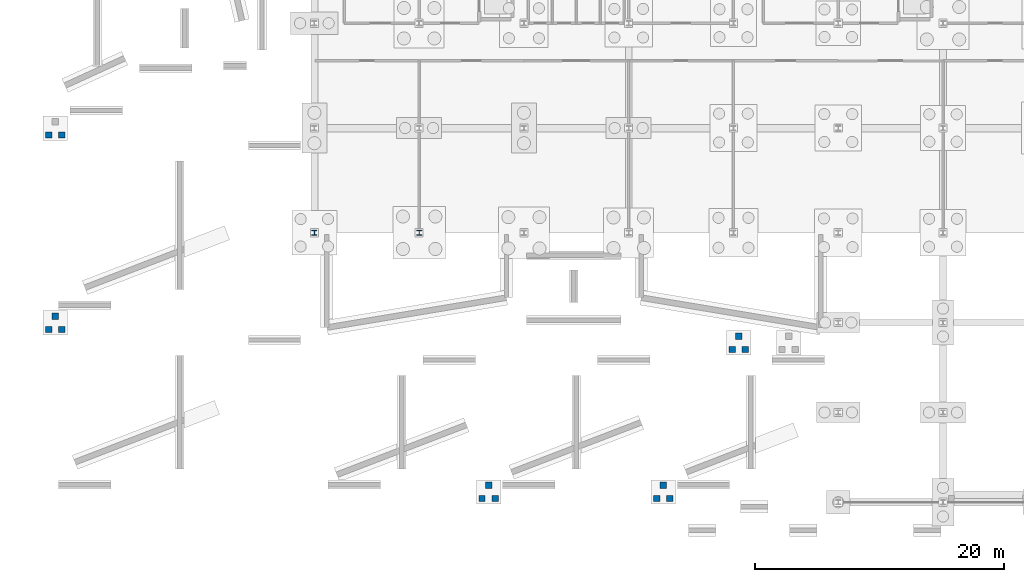
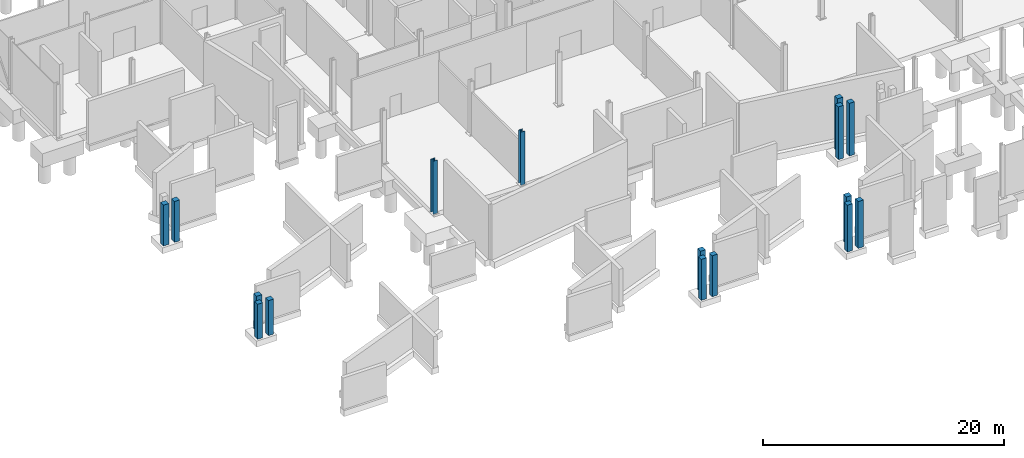
# One storey, part 14 of 61: 16 columns.
"""IFC4 building model written with IfcOpenShell, lengths in metres."""

from ifc_helpers import new_model, si_unit, direction, frame, origin, origin_2d, place, context, subcontext, project, spatial, rectangle, i_section, extrude, material, material_profile, profile_set, type_object, element, save


model = new_model("IFC4")

# Units and contexts
model_context = context("Model", 3, precision=1e-05, world=origin(), true_north=direction((0.0, 1.0)))
body_context = subcontext(model_context, "Body", "Model", "MODEL_VIEW")
ifc_project = project(units=[si_unit("LENGTHUNIT", "METRE"), si_unit("AREAUNIT", "SQUARE_METRE"), si_unit("VOLUMEUNIT", "CUBIC_METRE"), si_unit("PLANEANGLEUNIT", "RADIAN"), si_unit("MASSUNIT", "GRAM", prefix="KILO")], contexts=[model_context])

# Site, building, storey
site_placement = place(None, origin())
site = spatial("IfcSite", under=ifc_project, at=site_placement, CompositionType="ELEMENT")
building_placement = place(site_placement, origin())
building = spatial("IfcBuilding", under=site, at=building_placement, Name="Calvrana Isthmian Art Gallery", CompositionType="ELEMENT")
storey_placement = place(building_placement, frame((0.0, 0.0, -5.39990234375)))
storey = spatial("IfcBuildingStorey", under=building, at=storey_placement, Name="B1", CompositionType="ELEMENT", Elevation=-5.39990234375)

# Columns
ifc_material_1 = material(Name="Concrete C40/50", Category="concrete")
ifc_material_profile_1 = material_profile(ifc_material_1, rectangle(XDim=0.5, YDim=0.5, at=origin_2d()), Name="RC500X500")
ifc_profile_set_1 = profile_set([ifc_material_profile_1], Name="Concrete C40/50")
column_type_1 = type_object("IfcColumnType", Name="COL-RC-RC500X500", PredefinedType="COLUMN", material=ifc_profile_set_1)
for number, where, z_axis, x_axis, name in (
    (1, (0.300048828125, 13.85009765625, -0.4501953125), (0.0, 0.0, 1.0), (1.0, 0.0, 0.0), "Ramp RMP-01 landing pedestal A"),
    (2, (1.35009765625, 13.85009765625, -0.4501953125), (0.0, 0.0, 1.0), (1.0, 0.0, 0.0), "Ramp RMP-01 landing pedestal B"),
    (3, (0.824951171875, 14.89990234375, -0.4501953125), (0.0, 0.0, 1.0), (1.0, 0.0, 0.0), "Ramp RMP-01 landing pedestal C"),
):
    element("IfcColumn", number, at=place(storey_placement, frame(where, z_axis=z_axis, x_axis=x_axis)), inside=storey, type_object=column_type_1, Name=name, PredefinedType="COLUMN", context=body_context, shape_type="SweptSolid", body=[
        extrude(rectangle(XDim=0.5, YDim=0.5, at=origin_2d()), origin(), (0.0, 0.0, 1.0), 3.550048828125),
    ])
for number, where, z_axis, x_axis, name in (
    (4, (0.300048828125, 29.449951171875, -0.4501953125), (0.0, 0.0, 1.0), (1.0, 0.0, 0.0), "Ramp RMP-02 landing pedestal A"),
    (5, (1.35009765625, 29.449951171875, -0.4501953125), (0.0, 0.0, 1.0), (1.0, 0.0, 0.0), "Ramp RMP-02 landing pedestal B"),
    (6, (35.050048828125, 0.300048828125, -0.4501953125), (0.0, 0.0, 1.0), (1.0, 0.0, 0.0), "Ramp RMP-03 landing pedestal A"),
    (7, (36.10009765625, 0.300048828125, -0.4501953125), (0.0, 0.0, 1.0), (1.0, 0.0, 0.0), "Ramp RMP-03 landing pedestal B"),
    (8, (35.574951171875, 1.35009765625, -0.4501953125), (0.0, 0.0, 1.0), (1.0, 0.0, 0.0), "Ramp RMP-03 landing pedestal C"),
):
    element("IfcColumn", number, at=place(storey_placement, frame(where, z_axis=z_axis, x_axis=x_axis)), inside=storey, type_object=column_type_1, Name=name, PredefinedType="COLUMN", context=body_context, shape_type="SweptSolid", body=[
        extrude(rectangle(XDim=0.5, YDim=0.5, at=origin_2d()), origin(), (0.0, 0.0, 1.0), 4.150146484375),
    ])
for number, where, z_axis, x_axis, name in (
    (9, (49.050048828125, 0.300048828125, -0.4501953125), (0.0, 0.0, 1.0), (1.0, 0.0, 0.0), "Ramp RMP-04 landing pedestal A"),
    (10, (50.10009765625, 0.300048828125, -0.4501953125), (0.0, 0.0, 1.0), (1.0, 0.0, 0.0), "Ramp RMP-04 landing pedestal B"),
    (11, (49.574951171875, 1.35009765625, -0.4501953125), (0.0, 0.0, 1.0), (1.0, 0.0, 0.0), "Ramp RMP-04 landing pedestal C"),
):
    element("IfcColumn", number, at=place(storey_placement, frame(where, z_axis=z_axis, x_axis=x_axis)), inside=storey, type_object=column_type_1, Name=name, PredefinedType="COLUMN", context=body_context, shape_type="SweptSolid", body=[
        extrude(rectangle(XDim=0.5, YDim=0.5, at=origin_2d()), origin(), (0.0, 0.0, 1.0), 4.75),
    ])
for number, where, z_axis, x_axis, name in (
    (12, (55.10009765625, 12.25, -0.4501953125), (0.0, 0.0, 1.0), (1.0, 0.0, 0.0), "Ramp RMP-06 landing pedestal A"),
    (13, (56.14990234375, 12.25, -0.4501953125), (0.0, 0.0, 1.0), (1.0, 0.0, 0.0), "Ramp RMP-06 landing pedestal B"),
    (14, (55.625, 13.300048828125, -0.4501953125), (0.0, 0.0, 1.0), (1.0, 0.0, 0.0), "Ramp RMP-06 landing pedestal C"),
):
    element("IfcColumn", number, at=place(storey_placement, frame(where, z_axis=z_axis, x_axis=x_axis)), inside=storey, type_object=column_type_1, Name=name, PredefinedType="COLUMN", context=body_context, shape_type="SweptSolid", body=[
        extrude(rectangle(XDim=0.5, YDim=0.5, at=origin_2d()), origin(), (0.0, 0.0, 1.0), 5.35009765625),
    ])
ifc_material_2 = material(Name="Steel ASTM A992 Gr 50", Category="steel")
ifc_material_profile_2 = material_profile(ifc_material_2, i_section(OverallWidth=0.39892578125, OverallDepth=0.385986328125, WebThickness=0.02099609375, FlangeThickness=0.033203125, FilletRadius=0.02490234375, at=origin_2d()), Name="W14X176")
ifc_profile_set_2 = profile_set([ifc_material_profile_2], Name="Steel ASTM A992 Gr 50")
column_type_2 = type_object("IfcColumnType", Name="COL-STL-W14X176", PredefinedType="COLUMN", material=ifc_profile_set_2)
column_1_placement = place(storey_placement, frame((30.0, 21.60009765625, 0.0), z_axis=(0.0, 0.0, 1.0), x_axis=(1.0, 0.0, 0.0)))
element("IfcColumn", 15, at=column_1_placement, inside=storey, type_object=column_type_2, Name="Column 05/D B1", PredefinedType="COLUMN", context=body_context, shape_type="SweptSolid", body=[
    extrude(i_section(OverallWidth=0.39892578125, OverallDepth=0.385986328125, WebThickness=0.02099609375, FlangeThickness=0.033203125, FilletRadius=0.02490234375, at=origin_2d()), origin(), (0.0, 0.0, 1.0), 5.39990234375),
])
ifc_material_profile_3 = material_profile(ifc_material_2, i_section(OverallWidth=0.40087890625, OverallDepth=0.39892578125, WebThickness=0.02490234375, FlangeThickness=0.03955078125, FilletRadius=0.02490234375, at=origin_2d()), Name="W14X211")
ifc_profile_set_3 = profile_set([ifc_material_profile_3], Name="Steel ASTM A992 Gr 50")
column_type_3 = type_object("IfcColumnType", Name="COL-STL-W14X211", PredefinedType="COLUMN", material=ifc_profile_set_3)
column_2_placement = place(storey_placement, frame((21.60009765625, 21.60009765625, 0.0), z_axis=(0.0, 0.0, 1.0), x_axis=(1.0, 0.0, 0.0)))
element("IfcColumn", 16, at=column_2_placement, inside=storey, type_object=column_type_3, Name="Column 04/D B1", PredefinedType="COLUMN", context=body_context, shape_type="SweptSolid", body=[
    extrude(i_section(OverallWidth=0.40087890625, OverallDepth=0.39892578125, WebThickness=0.02490234375, FlangeThickness=0.03955078125, FilletRadius=0.02490234375, at=origin_2d()), origin(), (0.0, 0.0, 1.0), 5.39990234375),
])

save(model, "model.ifc")
